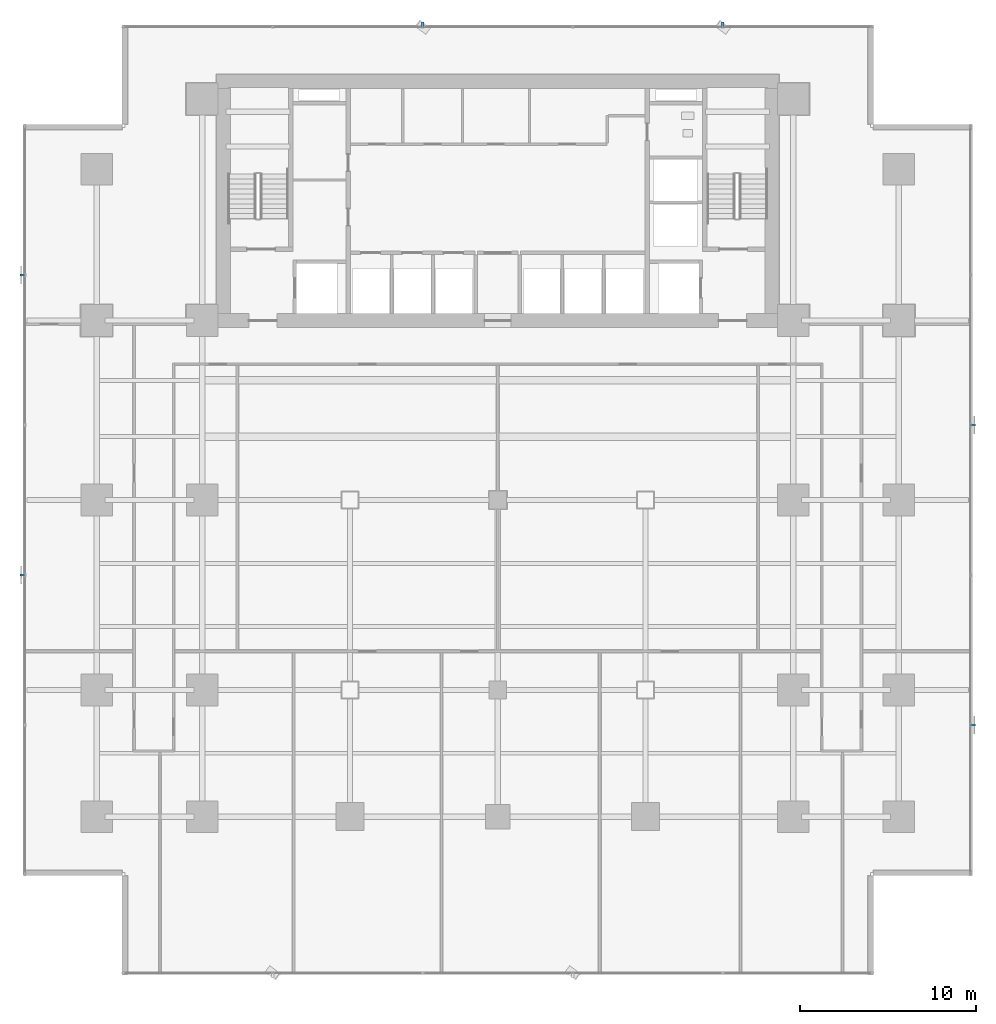
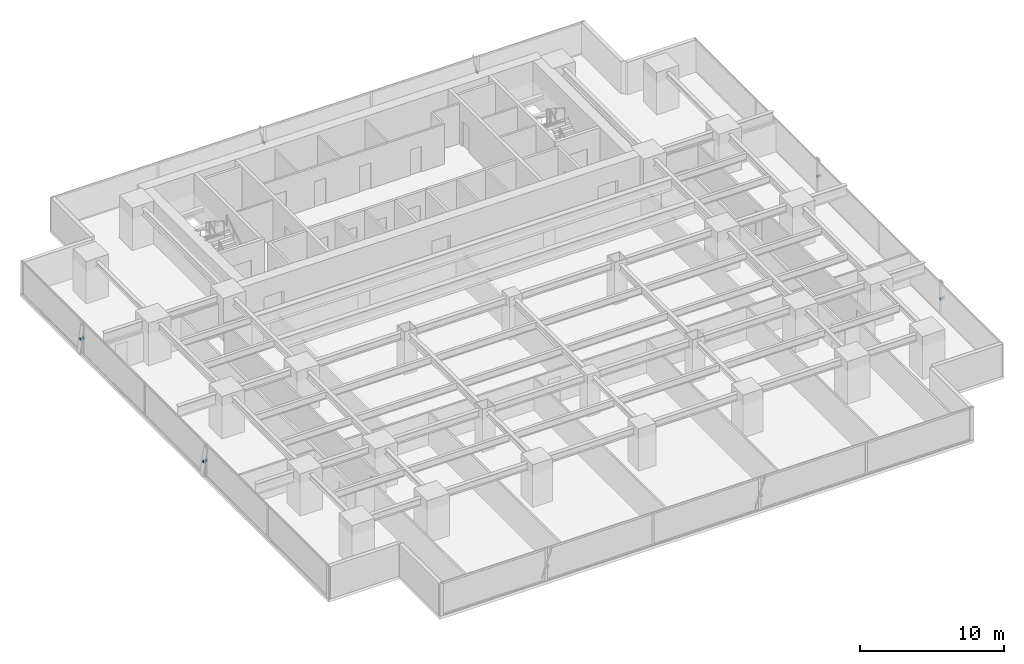
# One storey, part 28 of 33: 6 discrete accessories.
"""IFC4 building model written with IfcOpenShell, lengths in metres."""

from ifc_helpers import new_model, si_unit, direction, frame, origin, origin_2d, place, context, subcontext, project, spatial, rectangle, extrude, source, transform, mapped, material, material_profile, profile_set, type_object, element, save


model = new_model("IFC4")

# Units and contexts
model_context = context("Model", 3, precision=1e-05, world=origin(), true_north=direction((0.0, 1.0)))
body_context = subcontext(model_context, "Body", "Model", "MODEL_VIEW")
ifc_project = project(units=[si_unit("LENGTHUNIT", "METRE"), si_unit("AREAUNIT", "SQUARE_METRE"), si_unit("VOLUMEUNIT", "CUBIC_METRE"), si_unit("PLANEANGLEUNIT", "RADIAN"), si_unit("MASSUNIT", "GRAM", prefix="KILO")], contexts=[model_context])

# Site, building, storey
site_placement = place(None, origin())
site = spatial("IfcSite", under=ifc_project, at=site_placement, CompositionType="ELEMENT")
building_placement = place(site_placement, origin())
building = spatial("IfcBuilding", under=site, at=building_placement, Name="Sumidabori Civic Tower", CompositionType="ELEMENT")
storey_placement = place(building_placement, frame((0.0, 0.0, 38.0)))
storey = spatial("IfcBuildingStorey", under=building, at=storey_placement, Name="L09", CompositionType="ELEMENT", Elevation=38.0)

# Discrete accessories
ifc_material = material(Name="Stainless Steel Hairline Finish", Category="steel")
ifc_material_profile = material_profile(ifc_material, rectangle(XDim=0.1201171875, YDim=0.179931640625, at=origin_2d()), Name="STEEL BRACKET 180x120")
ifc_profile_set = profile_set([ifc_material_profile], Name="Stainless Steel Hairline Finish")
discrete_accessory_type = type_object("IfcDiscreteAccessoryType", Name="AC-BRK-180", PredefinedType="BRACKET", material=ifc_profile_set)
shared_shape = source(origin(), body_context, "Body", "SweptSolid", [
    extrude(rectangle(XDim=0.1201171875, YDim=0.179931640625, at=origin_2d()), origin(), (0.0, 0.0, 1.0), 0.329833984375),
])
for number, where, z_axis, x_axis, name in (
    (1, (26.830078125, -12.7919921875, 1.360107421875), (1.0, 0.0, 0.0), (0.0, 1.0, 0.0), "Bronze Fin Fixing Bracket L09-01"),
    (2, (26.830078125, 4.263916015625, 1.360107421875), (1.0, 0.0, 0.0), (0.0, 1.0, 0.0), "Bronze Fin Fixing Bracket L09-03"),
    (3, (12.7919921875, 26.830078125, 1.360107421875), (0.0, 1.0, 0.0), (-1.0, 0.0, 0.0), "Bronze Fin Fixing Bracket L09-01"),
    (4, (-4.263916015625, 26.830078125, 1.360107421875), (0.0, 1.0, 0.0), (-1.0, 0.0, 0.0), "Bronze Fin Fixing Bracket L09-03"),
    (5, (-26.830078125, 12.7919921875, 1.360107421875), (-1.0, 0.0, 0.0), (0.0, -1.0, 0.0), "Bronze Fin Fixing Bracket L09-01"),
    (6, (-26.830078125, -4.263916015625, 1.360107421875), (-1.0, 0.0, 0.0), (0.0, -1.0, 0.0), "Bronze Fin Fixing Bracket L09-03"),
):
    element("IfcDiscreteAccessory", number, at=place(storey_placement, frame(where, z_axis=z_axis, x_axis=x_axis)), inside=storey, type_object=discrete_accessory_type, Name=name, PredefinedType="BRACKET", context=body_context, shape_type="MappedRepresentation", body=[
        mapped(shared_shape, transform((0.0, 0.0, 0.0), x_axis=(1.0, 0.0, 0.0), y_axis=(0.0, 1.0, 0.0), z_axis=(0.0, 0.0, 1.0), scale=1.0)),
    ])

save(model, "model.ifc")
